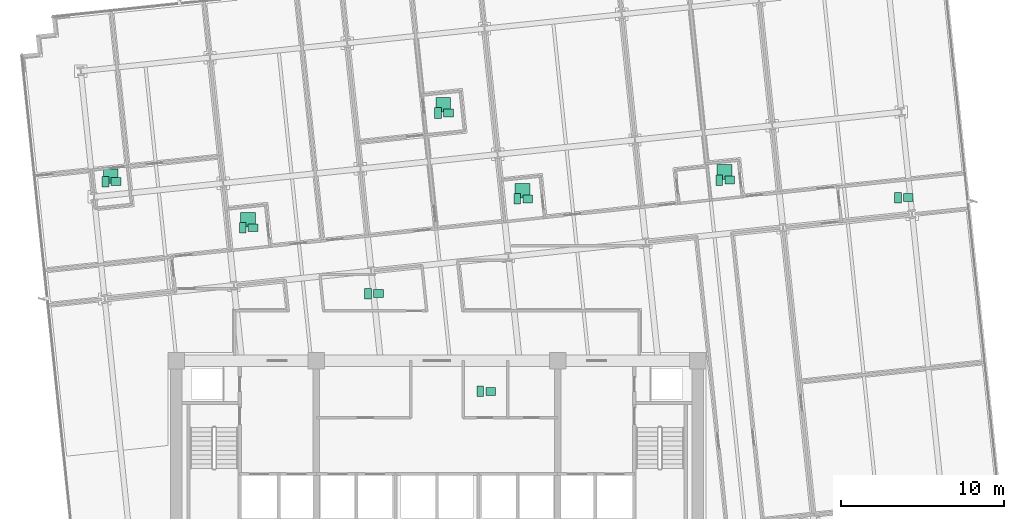
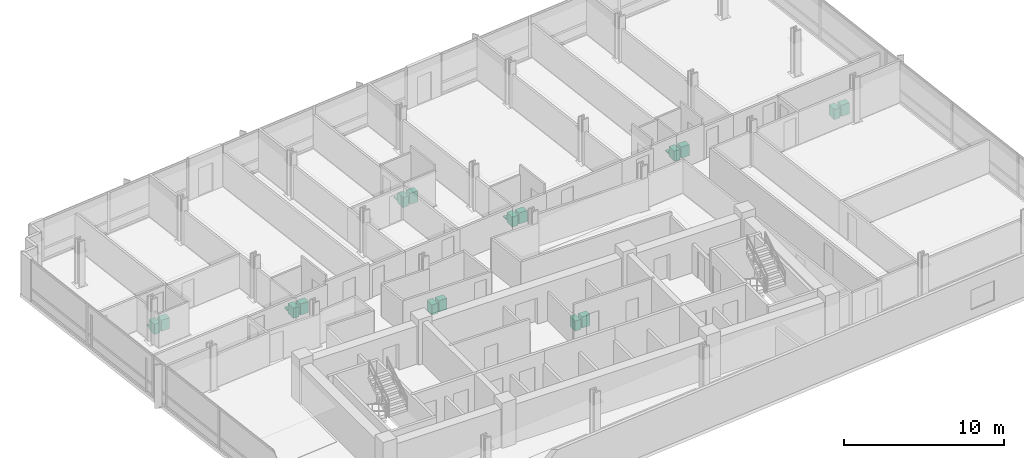
# One storey, part 19 of 19: 21 sanitary terminals.
"""IFC4 building model written with IfcOpenShell, lengths in metres."""

from ifc_helpers import new_model, si_unit, direction, frame, origin, origin_2d, place, context, subcontext, project, spatial, rectangle, extrude, material, type_object, element, save


model = new_model("IFC4")

# Units and contexts
model_context = context("Model", 3, precision=1e-05, world=origin(), true_north=direction((0.0, 1.0)))
body_context = subcontext(model_context, "Body", "Model", "MODEL_VIEW")
ifc_project = project(units=[si_unit("LENGTHUNIT", "METRE"), si_unit("AREAUNIT", "SQUARE_METRE"), si_unit("VOLUMEUNIT", "CUBIC_METRE"), si_unit("PLANEANGLEUNIT", "RADIAN"), si_unit("MASSUNIT", "GRAM", prefix="KILO")], contexts=[model_context])

# Site, building, storey
site_placement = place(None, origin())
site = spatial("IfcSite", under=ifc_project, at=site_placement, CompositionType="ELEMENT")
building_placement = place(site_placement, origin())
building = spatial("IfcBuilding", under=site, at=building_placement, Name="Solmavex Isthmus Hotel", CompositionType="ELEMENT")
storey_placement = place(building_placement, frame((0.0, 0.0, 83.550048828125)))
storey = spatial("IfcBuildingStorey", under=building, at=storey_placement, Name="L22", CompositionType="ELEMENT", Elevation=83.550048828125)

# Sanitary terminals
ifc_material = material(Name="Vitreous china ceramic", Category="ceramic")
sanitary_terminal_type_1 = type_object("IfcSanitaryTerminalType", Name="SAN-BASIN", PredefinedType="WASHHANDBASIN", material=ifc_material)
for number, where, z_axis, x_axis, name in (
    (1, (3.294921875, -4.385009765625, 0.0), (0.0, 0.0, 1.0), (1.0, 0.0, 0.0), "Vanity Washbasin L22-97"),
    (2, (-19.694580078125, 8.486083984375, 0.0), (0.0, 0.0, 1.0), (1.0, 0.0, 0.0), "Vanity Washbasin L22-98"),
    (3, (-11.278564453125, 5.65283203125, 0.0), (0.0, 0.0, 1.0), (1.0, 0.0, 0.0), "Vanity Washbasin L22-99"),
    (4, (0.700439453125, 12.691650390625, 0.0), (0.0, 0.0, 1.0), (1.0, 0.0, 0.0), "Vanity Washbasin L22-100"),
    (5, (5.560791015625, 7.4228515625, 0.0), (0.0, 0.0, 1.0), (1.0, 0.0, 0.0), "Vanity Washbasin L22-101"),
    (6, (17.955810546875, 8.57470703125, 0.0), (0.0, 0.0, 1.0), (1.0, 0.0, 0.0), "Vanity Washbasin L22-102"),
    (7, (-3.58349609375, 1.6162109375, 0.0), (0.0, 0.0, 1.0), (1.0, 0.0, 0.0), "Vanity Washbasin L22-103"),
    (8, (28.9111328125, 7.50390625, 0.0), (0.0, 0.0, 1.0), (1.0, 0.0, 0.0), "Vanity Washbasin L22-104"),
):
    element("IfcSanitaryTerminal", number, at=place(storey_placement, frame(where, z_axis=z_axis, x_axis=x_axis)), inside=storey, type_object=sanitary_terminal_type_1, Name=name, PredefinedType="WASHHANDBASIN", context=body_context, shape_type="SweptSolid", body=[
        extrude(rectangle(XDim=0.60009765625, YDim=0.47998046875, at=origin_2d()), origin(), (0.0, 0.0, 1.0), 0.85009765625),
    ])
sanitary_terminal_type_2 = type_object("IfcSanitaryTerminalType", Name="SAN-SHOWER", PredefinedType="SHOWER", material=ifc_material)
for number, where, z_axis, x_axis, name in (
    (9, (-20.0146484375, 8.822265625, 0.0), (0.0, 0.0, 1.0), (1.0, 0.0, 0.0), "Walk-In Shower L22-98"),
    (10, (-11.598388671875, 6.15283203125, 0.0), (0.0, 0.0, 1.0), (1.0, 0.0, 0.0), "Walk-In Shower L22-99"),
    (11, (0.38037109375, 13.191650390625, 0.0), (0.0, 0.0, 1.0), (1.0, 0.0, 0.0), "Walk-In Shower L22-100"),
    (12, (5.24072265625, 7.9228515625, 0.0), (0.0, 0.0, 1.0), (1.0, 0.0, 0.0), "Walk-In Shower L22-101"),
    (13, (17.6357421875, 9.07470703125, 0.0), (0.0, 0.0, 1.0), (1.0, 0.0, 0.0), "Walk-In Shower L22-102"),
):
    element("IfcSanitaryTerminal", number, at=place(storey_placement, frame(where, z_axis=z_axis, x_axis=x_axis)), inside=storey, type_object=sanitary_terminal_type_2, Name=name, PredefinedType="SHOWER", context=body_context, shape_type="SweptSolid", body=[
        extrude(rectangle(XDim=0.89990234375, YDim=0.89990234375, at=origin_2d()), origin(), (0.0, 0.0, 1.0), 0.080078125),
    ])
sanitary_terminal_type_3 = type_object("IfcSanitaryTerminalType", Name="SAN-WC-SUITE", PredefinedType="TOILETPAN", material=ifc_material)
for number, where, z_axis, x_axis, name in (
    (14, (2.655029296875, -4.385009765625, 0.0), (0.0, 0.0, 1.0), (1.0, 0.0, 0.0), "Water Closet L22-97"),
    (15, (-20.334716796875, 8.486083984375, 0.0), (0.0, 0.0, 1.0), (1.0, 0.0, 0.0), "Water Closet L22-98"),
    (16, (-11.91845703125, 5.65283203125, 0.0), (0.0, 0.0, 1.0), (1.0, 0.0, 0.0), "Water Closet L22-99"),
    (17, (0.060302734375, 12.691650390625, 0.0), (0.0, 0.0, 1.0), (1.0, 0.0, 0.0), "Water Closet L22-100"),
    (18, (4.9208984375, 7.4228515625, 0.0), (0.0, 0.0, 1.0), (1.0, 0.0, 0.0), "Water Closet L22-101"),
    (19, (17.31591796875, 8.57470703125, 0.0), (0.0, 0.0, 1.0), (1.0, 0.0, 0.0), "Water Closet L22-102"),
    (20, (-4.223388671875, 1.6162109375, 0.0), (0.0, 0.0, 1.0), (1.0, 0.0, 0.0), "Water Closet L22-103"),
    (21, (28.271240234375, 7.50390625, 0.0), (0.0, 0.0, 1.0), (1.0, 0.0, 0.0), "Water Closet L22-104"),
):
    element("IfcSanitaryTerminal", number, at=place(storey_placement, frame(where, z_axis=z_axis, x_axis=x_axis)), inside=storey, type_object=sanitary_terminal_type_3, Name=name, PredefinedType="TOILETPAN", context=body_context, shape_type="SweptSolid", body=[
        extrude(rectangle(XDim=0.419921875, YDim=0.64990234375, at=origin_2d()), origin(), (0.0, 0.0, 1.0), 0.780029296875),
    ])

save(model, "model.ifc")
